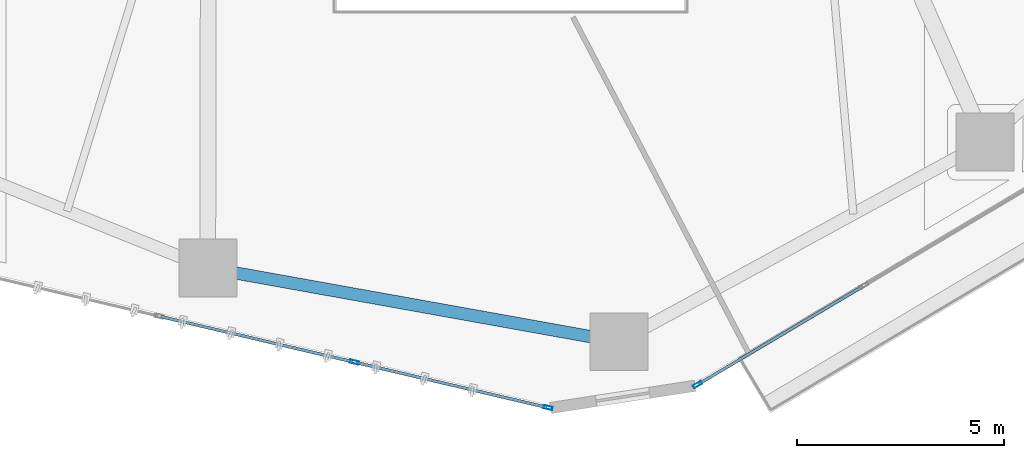
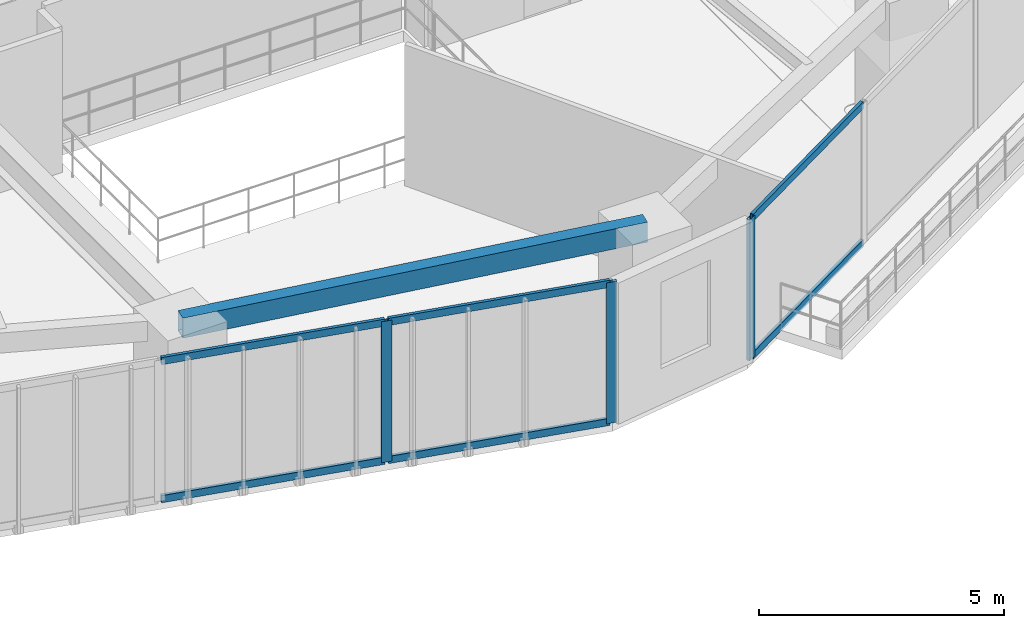
# One storey, part 4 of 23: 9 members, 1 beam, 2 elements without a shape of their own.
"""IFC4 building model written with IfcOpenShell, lengths in metres."""

from ifc_helpers import new_model, si_unit, direction, frame, origin, origin_2d, place, context, subcontext, project, spatial, hollow_rectangle, extrude, source, transform, mapped, material, layer, layer_set, material_profile, profile_set, type_object, type_shapes, element, aggregate, save


model = new_model("IFC4")

# Units and contexts
model_context = context("Model", 3, precision=1e-05, world=origin(), true_north=direction((0.0, 1.0)))
body_context = subcontext(model_context, "Body", "Model", "MODEL_VIEW")
ifc_project = project(units=[si_unit("LENGTHUNIT", "METRE"), si_unit("AREAUNIT", "SQUARE_METRE"), si_unit("VOLUMEUNIT", "CUBIC_METRE"), si_unit("PLANEANGLEUNIT", "RADIAN"), si_unit("MASSUNIT", "GRAM", prefix="KILO")], contexts=[model_context])

# Site, building, storey
site_placement = place(None, origin())
site = spatial("IfcSite", under=ifc_project, at=site_placement, CompositionType="ELEMENT")
building_placement = place(site_placement, origin())
building = spatial("IfcBuilding", under=site, at=building_placement, Name="Talar Marvaseh", CompositionType="ELEMENT")
storey_placement = place(building_placement, frame((0.0, 0.0, 50.60009765625)))
storey = spatial("IfcBuildingStorey", under=building, at=storey_placement, Name="L12", CompositionType="ELEMENT", Elevation=50.60009765625)

# Beam
ifc_material_1 = material(Name="Steel S355", Category="steel")
ifc_material_profile_1 = material_profile(ifc_material_1, hollow_rectangle(XDim=0.300048828125, YDim=0.5, WallThickness=0.02001953125, at=origin_2d()), Name="RHS500x300x20")
ifc_profile_set_1 = profile_set([ifc_material_profile_1], Name="Steel S355")
beam_type = type_object("IfcBeamType", Name="Zone 1 Perimeter Spandrel Beam RHS500x300x20", PredefinedType="SPANDREL", material=ifc_profile_set_1)
beam_placement = place(storey_placement, frame((28.625, 11.195068359375, 3.27001953125), z_axis=(-0.984279934962, 0.176615428632, 0.0), x_axis=(-0.176615428632, -0.984279934962, 0.0)))
element("IfcBeam", 1, at=beam_placement, inside=storey, type_object=beam_type, Name="L12 Zone 1 Perimeter Spandrel Beam RHS500x300x20", PredefinedType="SPANDREL", context=body_context, shape_type="SweptSolid", body=[
    extrude(hollow_rectangle(XDim=0.300048828125, YDim=0.5, WallThickness=0.02001953125, at=origin_2d()), origin(), (0.0, 0.0, 1.0), 10.1005859375),
])

# Curtain wall, member
ifc_material_2 = material(Name="Architectural Aluminium", Category="aluminium")
ifc_layer = layer(ifc_material_2, 0.219970703125)
ifc_layer_set = layer_set([ifc_layer], Name="Architectural Aluminium")
curtain_wall_type = type_object("IfcCurtainWallType", Name="Unitised Low-E Museum Curtain Wall Z1", PredefinedType="NOTDEFINED", material=ifc_layer_set)
curtain_wall_1_placement = place(storey_placement, origin())
curtain_wall_1 = element("IfcCurtainWall", 2, at=curtain_wall_1_placement, inside=storey, type_object=curtain_wall_type, Name="L12 Unitised Low-E Museum Curtain Wall Z1", PredefinedType="NOTDEFINED")
ifc_material_profile_2 = material_profile(ifc_material_2, hollow_rectangle(XDim=0.080078125, YDim=0.219970703125, WallThickness=0.0048828125, at=origin_2d()), Name="RHS220x80x5")
ifc_profile_set_2 = profile_set([ifc_material_profile_2], Name="Architectural Aluminium")
member_type_1 = type_object("IfcMemberType", Name="Unitised Curtain Wall Heavy Mullion RHS220x80x5", PredefinedType="MULLION", material=ifc_profile_set_2)
shared_shape_1 = source(origin(), body_context, "Body", "SweptSolid", [
    extrude(hollow_rectangle(XDim=0.080078125, YDim=0.219970703125, WallThickness=0.0048828125, at=origin_2d()), origin(), (0.0, 0.0, 1.0), 3.52001953125),
])
type_shapes(member_type_1, [shared_shape_1])
member_1_placement = place(storey_placement, frame((30.51806640625, 10.158935546875, 0.0), z_axis=(0.0, 0.0, 1.0), x_axis=(0.511154851955, -0.859488637111, 0.0)))
member_1 = element("IfcMember", 3, at=member_1_placement, type_object=member_type_1, Name="CW-Z1 mullion 3", PredefinedType="MULLION", context=body_context, shape_type="MappedRepresentation", body=[
    mapped(shared_shape_1, transform((0.0, 0.0, 0.0), x_axis=(1.0, 0.0, 0.0), y_axis=(0.0, 1.0, 0.0), z_axis=(0.0, 0.0, 1.0), scale=1.0)),
])

# Curtain wall, members
curtain_wall_2_placement = place(storey_placement, origin())
curtain_wall_2 = element("IfcCurtainWall", 4, at=curtain_wall_2_placement, inside=storey, type_object=curtain_wall_type, Name="L12 Unitised Low-E Museum Curtain Wall Z1", PredefinedType="NOTDEFINED")
member_2_placement = place(storey_placement, frame((26.905517578125, 9.602783203125, 0.0), z_axis=(0.0, 0.0, 1.0), x_axis=(-0.229053137738, -0.973413920227, 0.0)))
member_2 = element("IfcMember", 5, at=member_2_placement, type_object=member_type_1, Name="CW-Z1 mullion 1", PredefinedType="MULLION", context=body_context, shape_type="MappedRepresentation", body=[
    mapped(shared_shape_1, transform((0.0, 0.0, 0.0), x_axis=(1.0, 0.0, 0.0), y_axis=(0.0, 1.0, 0.0), z_axis=(0.0, 0.0, 1.0), scale=1.0)),
])
member_3_placement = place(storey_placement, frame((22.22802734375, 10.703369140625, 0.0), z_axis=(0.0, 0.0, 1.0), x_axis=(-0.229053137738, -0.973413920227, 0.0)))
member_3 = element("IfcMember", 6, at=member_3_placement, type_object=member_type_1, Name="CW-Z1 mullion 2", PredefinedType="MULLION", context=body_context, shape_type="MappedRepresentation", body=[
    mapped(shared_shape_1, transform((0.0, 0.0, 0.0), x_axis=(1.0, 0.0, 0.0), y_axis=(0.0, 1.0, 0.0), z_axis=(0.0, 0.0, 1.0), scale=1.0)),
])
ifc_material_profile_3 = material_profile(ifc_material_2, hollow_rectangle(XDim=0.074951171875, YDim=0.179931640625, WallThickness=0.0048828125, at=origin_2d()), Name="RHS180x75x5")
ifc_profile_set_3 = profile_set([ifc_material_profile_3], Name="Architectural Aluminium")
member_type_2 = type_object("IfcMemberType", Name="Unitised Curtain Wall Transom RHS180x75x5", PredefinedType="USERDEFINED", material=ifc_profile_set_3)
shared_shape_2 = source(origin(), body_context, "Body", "SweptSolid", [
    extrude(hollow_rectangle(XDim=0.074951171875, YDim=0.179931640625, WallThickness=0.0048828125, at=origin_2d()), origin(), (0.0, 0.0, 1.0), 4.765380859375),
])
member_4_placement = place(storey_placement, frame((22.18896484375, 10.712646484375, 0.037353515625), z_axis=(-0.973412464841, 0.229059322648, 0.0), x_axis=(-0.229059322648, -0.973412464841, 0.0)))
member_4 = element("IfcMember", 7, at=member_4_placement, type_object=member_type_2, Name="CW-Z1 transom 2.1", ObjectType="TRANSOM", PredefinedType="USERDEFINED", context=body_context, shape_type="MappedRepresentation", body=[
    mapped(shared_shape_2, transform((0.0, 0.0, 0.0), x_axis=(1.0, 0.0, 0.0), y_axis=(0.0, 1.0, 0.0), z_axis=(0.0, 0.0, 1.0), scale=1.0)),
])
member_5_placement = place(storey_placement, frame((22.18896484375, 10.712646484375, 3.482421875), z_axis=(-0.973412464841, 0.229059322648, 0.0), x_axis=(-0.229059322648, -0.973412464841, 0.0)))
member_5 = element("IfcMember", 8, at=member_5_placement, type_object=member_type_2, Name="CW-Z1 transom 2.2", ObjectType="TRANSOM", PredefinedType="USERDEFINED", context=body_context, shape_type="MappedRepresentation", body=[
    mapped(shared_shape_2, transform((0.0, 0.0, 0.0), x_axis=(1.0, 0.0, 0.0), y_axis=(0.0, 1.0, 0.0), z_axis=(0.0, 0.0, 1.0), scale=1.0)),
])
shared_shape_3 = source(origin(), body_context, "Body", "SweptSolid", [
    extrude(hollow_rectangle(XDim=0.074951171875, YDim=0.179931640625, WallThickness=0.0048828125, at=origin_2d()), origin(), (0.0, 0.0, 1.0), 4.7255859375),
])
member_6_placement = place(storey_placement, frame((26.86669921875, 9.61181640625, 0.037353515625), z_axis=(-0.973407681589, 0.229079648647, 0.0), x_axis=(-0.229079648647, -0.973407681589, 0.0)))
member_6 = element("IfcMember", 9, at=member_6_placement, type_object=member_type_2, Name="CW-Z1 transom 1.1", ObjectType="TRANSOM", PredefinedType="USERDEFINED", context=body_context, shape_type="MappedRepresentation", body=[
    mapped(shared_shape_3, transform((0.0, 0.0, 0.0), x_axis=(1.0, 0.0, 0.0), y_axis=(0.0, 1.0, 0.0), z_axis=(0.0, 0.0, 1.0), scale=1.0)),
])
member_7_placement = place(storey_placement, frame((26.86669921875, 9.61181640625, 3.482421875), z_axis=(-0.973407681589, 0.229079648647, 0.0), x_axis=(-0.229079648647, -0.973407681589, 0.0)))
member_7 = element("IfcMember", 10, at=member_7_placement, type_object=member_type_2, Name="CW-Z1 transom 1.2", ObjectType="TRANSOM", PredefinedType="USERDEFINED", context=body_context, shape_type="MappedRepresentation", body=[
    mapped(shared_shape_3, transform((0.0, 0.0, 0.0), x_axis=(1.0, 0.0, 0.0), y_axis=(0.0, 1.0, 0.0), z_axis=(0.0, 0.0, 1.0), scale=1.0)),
])
aggregate(curtain_wall_2, [member_2, member_3, member_6, member_7, member_4, member_5])

# Member
shared_shape_4 = source(origin(), body_context, "Body", "SweptSolid", [
    extrude(hollow_rectangle(XDim=0.074951171875, YDim=0.179931640625, WallThickness=0.0048828125, at=origin_2d()), origin(), (0.0, 0.0, 1.0), 4.604248046875),
])
type_shapes(member_type_2, [shared_shape_2, shared_shape_3, shared_shape_4])
member_8_placement = place(storey_placement, frame((34.509765625, 12.53271484375, 0.037353515625), z_axis=(-0.859484260686, -0.511162210686, 0.0), x_axis=(0.511162210686, -0.859484260686, 0.0)))
member_8 = element("IfcMember", 11, at=member_8_placement, type_object=member_type_2, Name="CW-Z1 transom 2.1", ObjectType="TRANSOM", PredefinedType="USERDEFINED", context=body_context, shape_type="MappedRepresentation", body=[
    mapped(shared_shape_4, transform((0.0, 0.0, 0.0), x_axis=(1.0, 0.0, 0.0), y_axis=(0.0, 1.0, 0.0), z_axis=(0.0, 0.0, 1.0), scale=1.0)),
])

member_9_placement = place(storey_placement, frame((34.509765625, 12.53271484375, 3.482421875), z_axis=(-0.859484260686, -0.511162210686, 0.0), x_axis=(0.511162210686, -0.859484260686, 0.0)))
member_9 = element("IfcMember", 12, at=member_9_placement, type_object=member_type_2, Name="CW-Z1 transom 2.2", ObjectType="TRANSOM", PredefinedType="USERDEFINED", context=body_context, shape_type="MappedRepresentation", body=[
    mapped(shared_shape_4, transform((0.0, 0.0, 0.0), x_axis=(1.0, 0.0, 0.0), y_axis=(0.0, 1.0, 0.0), z_axis=(0.0, 0.0, 1.0), scale=1.0)),
])

aggregate(curtain_wall_1, [member_1, member_8, member_9])

save(model, "model.ifc")
